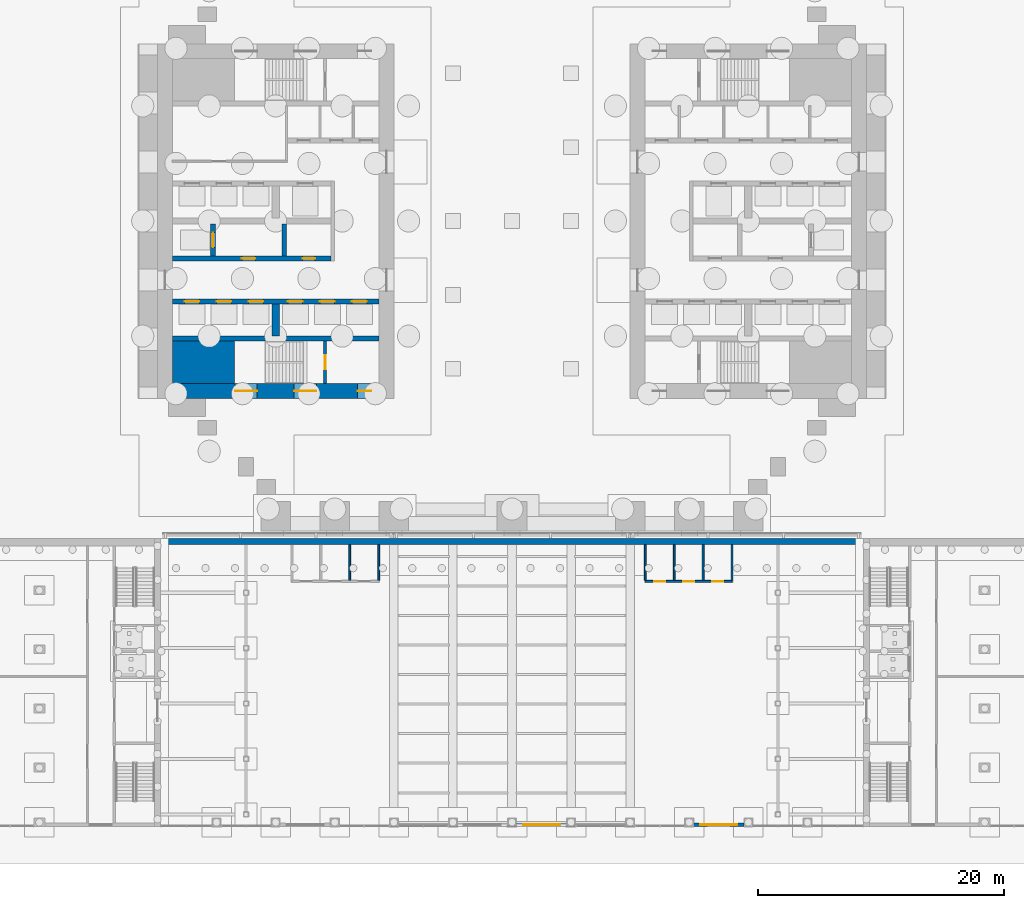
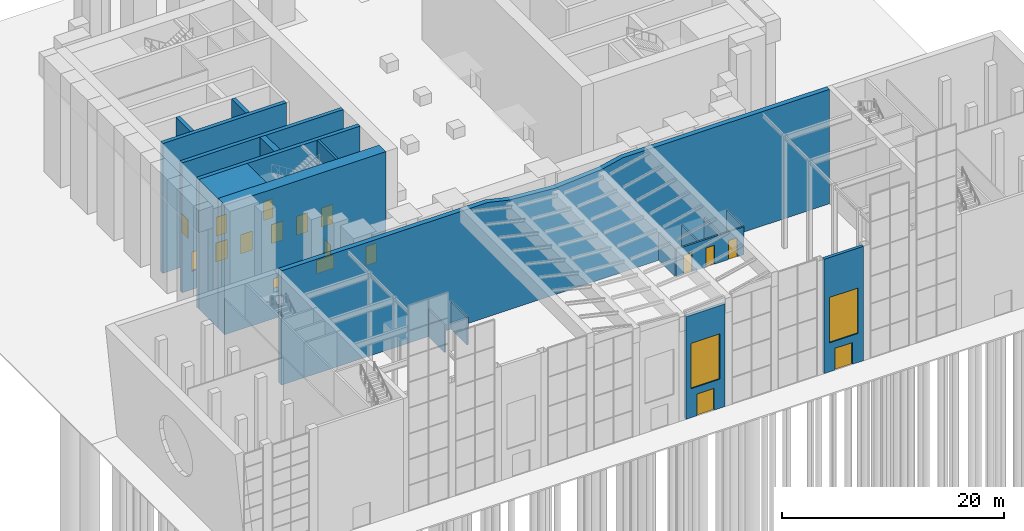
# One storey, part 45 of 58: 19 walls, 16 doors, 4 windows, 20 openings.
"""IFC4 building model written with IfcOpenShell, lengths in metres."""

from ifc_helpers import new_model, si_unit, direction, frame, frame_2d, origin, place, context, subcontext, project, spatial, polyline, rectangle, outline, extrude, material, layer, layer_set, type_object, element, fill, save


model = new_model("IFC4")

# Units and contexts
model_context = context("Model", 3, precision=1e-05, world=origin(), true_north=direction((0.0, 1.0)))
body_context = subcontext(model_context, "Body", "Model", "MODEL_VIEW")
ifc_project = project(units=[si_unit("LENGTHUNIT", "METRE"), si_unit("AREAUNIT", "SQUARE_METRE"), si_unit("VOLUMEUNIT", "CUBIC_METRE"), si_unit("PLANEANGLEUNIT", "RADIAN"), si_unit("MASSUNIT", "GRAM", prefix="KILO")], contexts=[model_context])

# Site, building, storey
site_placement = place(None, origin())
site = spatial("IfcSite", under=ifc_project, at=site_placement, CompositionType="ELEMENT")
building_placement = place(site_placement, origin())
building = spatial("IfcBuilding", under=site, at=building_placement, Name="Baori Bourse Tower", CompositionType="ELEMENT")
storey_placement = place(building_placement, origin())
storey = spatial("IfcBuildingStorey", under=building, at=storey_placement, Name="L00", CompositionType="ELEMENT", Elevation=0.0)

# Wall
ifc_material_1 = material(Name="Concrete f'c 70 MPa", Category="concrete")
wall_type_1 = type_object("IfcWallType", Name="Core corner block f'c 70", PredefinedType="SHEAR", material=ifc_material_1)
wall_1_placement = place(storey_placement, frame((1.199951171875, 12.52490234375, -2.0), z_axis=(0.0, 0.0, 1.0), x_axis=(1.0, 0.0, 0.0)))
element("IfcWall", 1, at=wall_1_placement, inside=storey, type_object=wall_type_1, Name="Core wall W04", PredefinedType="SHEAR", context=body_context, shape_type="SweptSolid", body=[
    extrude(rectangle(XDim=5.050048828125, YDim=3.449951171875, at=frame_2d((2.52490234375, 0.0))), origin(), (0.0, 0.0, 1.0), 14.300048828125),
])

# Wall, openings, door, windows
ifc_material_2 = material(Name="Concrete f'c 70 MPa", Category="concrete")
ifc_layer_1 = layer(ifc_material_2, 1.199951171875)
ifc_layer_set_1 = layer_set([ifc_layer_1], Name="Core wall 1200 f'c 70")
wall_type_2 = type_object("IfcWallType", Name="Core wall 1200 f'c 70", PredefinedType="SHEAR", material=ifc_layer_set_1)
wall_2_placement = place(storey_placement, frame((18.0, 10.199951171875, -2.0), z_axis=(0.0, 0.0, 1.0), x_axis=(-1.0, 0.0, 0.0)))
wall_2 = element("IfcWall", 2, at=wall_2_placement, inside=storey, type_object=wall_type_2, Name="Core wall W02", PredefinedType="SHEAR", context=body_context, shape_type="SweptSolid", body=[
    extrude(rectangle(XDim=16.800048828125, YDim=1.199951171875, at=frame_2d((8.39990234375, 0.0))), origin(), (0.0, 0.0, 1.0), 14.300048828125),
])
opening_1_placement = place(wall_2_placement, frame((0.64990234375, 0.0, 2.0)))
opening_1 = element("IfcOpeningElement", 3, at=opening_1_placement, cuts=wall_2, Name="Opening L00-D102", PredefinedType="OPENING", context=body_context, shape_type="SweptSolid", body=[
    extrude(rectangle(XDim=1.10009765625, YDim=2.10009765625, at=frame_2d((0.550048828125, 1.050048828125))), frame((0.0, 0.60986328125, 0.0), z_axis=(0.0, -1.0, 0.0), x_axis=(1.0, 0.0, 0.0)), (0.0, 0.0, 1.0), 1.219970703125),
])
opening_2_placement = place(wall_2_placement, frame((9.89990234375, 0.0, 2.89990234375)))
opening_2 = element("IfcOpeningElement", 4, at=opening_2_placement, cuts=wall_2, Name="Opening L00-KW102", PredefinedType="OPENING", context=body_context, shape_type="SweptSolid", body=[
    extrude(rectangle(XDim=1.800048828125, YDim=1.5, at=frame_2d((0.89990234375, 0.75))), frame((0.0, 0.60986328125, 0.0), z_axis=(0.0, -1.0, 0.0), x_axis=(1.0, 0.0, 0.0)), (0.0, 0.0, 1.0), 1.219970703125),
])
opening_3_placement = place(wall_2_placement, frame((5.10009765625, 0.0, 2.89990234375)))
opening_3 = element("IfcOpeningElement", 5, at=opening_3_placement, cuts=wall_2, Name="Opening L00-KW103", PredefinedType="OPENING", context=body_context, shape_type="SweptSolid", body=[
    extrude(rectangle(XDim=1.800048828125, YDim=1.5, at=frame_2d((0.89990234375, 0.75))), frame((0.0, 0.60986328125, 0.0), z_axis=(0.0, -1.0, 0.0), x_axis=(1.0, 0.0, 0.0)), (0.0, 0.0, 1.0), 1.219970703125),
])
ifc_material_3 = material(Name="Painted steel door", Category="steel")
door_type_1 = type_object("IfcDoorType", Name="Stair door 1100", OperationType="SINGLE_SWING_LEFT", PredefinedType="DOOR", material=ifc_material_3)
door_1_placement = place(opening_1_placement, origin())
door_1 = element("IfcDoor", 6, at=door_1_placement, inside=storey, type_object=door_type_1, Name="Stair vestibule door A W L00", OperationType="SINGLE_SWING_LEFT", OverallHeight=2.10009765625, OverallWidth=1.10009765625, PredefinedType="DOOR", context=body_context, shape_type="SweptSolid", body=[
    extrude(rectangle(XDim=1.10009765625, YDim=2.10009765625, at=frame_2d((0.550048828125, 1.050048828125))), frame((0.0, 0.02490234375, 0.0), z_axis=(0.0, -1.0, 0.0), x_axis=(1.0, 0.0, 0.0)), (0.0, 0.0, 1.0), 0.050048828125),
])
fill(opening_1, door_1)
ifc_material_4 = material(Name="Pale anodised aluminium", Category="aluminium")
window_type_1 = type_object("IfcWindowType", Name="Stair window 1800 x 1500", PartitioningType="SINGLE_PANEL", PredefinedType="WINDOW", material=ifc_material_4)
window_1_placement = place(opening_2_placement, origin())
window_1 = element("IfcWindow", 7, at=window_1_placement, inside=storey, type_object=window_type_1, Name="Stair window W L00 2", OverallHeight=1.5, OverallWidth=1.800048828125, PartitioningType="SINGLE_PANEL", PredefinedType="WINDOW", context=body_context, shape_type="SweptSolid", body=[
    extrude(rectangle(XDim=1.800048828125, YDim=1.5, at=frame_2d((0.89990234375, 0.75))), frame((0.0, 0.030029296875, 0.0), z_axis=(0.0, -1.0, 0.0), x_axis=(1.0, 0.0, 0.0)), (0.0, 0.0, 1.0), 0.06005859375),
])
fill(opening_2, window_1)
window_2_placement = place(opening_3_placement, origin())
window_2 = element("IfcWindow", 8, at=window_2_placement, inside=storey, type_object=window_type_1, Name="Stair window W L00 3", OverallHeight=1.5, OverallWidth=1.800048828125, PartitioningType="SINGLE_PANEL", PredefinedType="WINDOW", context=body_context, shape_type="SweptSolid", body=[
    extrude(rectangle(XDim=1.800048828125, YDim=1.5, at=frame_2d((0.89990234375, 0.75))), frame((0.0, 0.030029296875, 0.0), z_axis=(0.0, -1.0, 0.0), x_axis=(1.0, 0.0, 0.0)), (0.0, 0.0, 1.0), 0.06005859375),
])
fill(opening_3, window_2)

# Wall, openings, door, window
ifc_material_5 = material(Name="Concrete f'c 50 MPa", Category="concrete")
ifc_layer_2 = layer(ifc_material_5, 0.300048828125)
ifc_layer_set_2 = layer_set([ifc_layer_2], Name="Entrance wall 300")
wall_type_3 = type_object("IfcWallType", Name="Entrance wall 300", PredefinedType="SOLIDWALL", material=ifc_layer_set_2)
wall_3_placement = place(storey_placement, frame((33.25, -25.050048828125, 0.0), z_axis=(0.0, 0.0, 1.0), x_axis=(-1.0, 0.0, 0.0)))
wall_3 = element("IfcWall", 9, at=wall_3_placement, inside=storey, type_object=wall_type_3, Name="wing/L00/entwall/003", PredefinedType="SOLIDWALL", context=body_context, shape_type="SweptSolid", body=[
    extrude(rectangle(XDim=4.10009765625, YDim=0.300048828125, at=frame_2d((2.050048828125, 0.0))), origin(), (0.0, 0.0, 1.0), 11.300048828125),
])
opening_4_placement = place(wall_3_placement, frame((1.14990234375, 0.0, 0.0)))
opening_4 = element("IfcOpeningElement", 10, at=opening_4_placement, cuts=wall_3, Name="Opening WGH-L00-03", PredefinedType="OPENING", context=body_context, shape_type="SweptSolid", body=[
    extrude(rectangle(XDim=1.800048828125, YDim=2.39990234375, at=frame_2d((0.89990234375, 1.199951171875))), frame((0.0, 0.159912109375, 0.0), z_axis=(0.0, -1.0, 0.0), x_axis=(1.0, 0.0, 0.0)), (0.0, 0.0, 1.0), 0.320068359375),
])
opening_5_placement = place(wall_3_placement, frame((0.550048828125, 0.0, 3.199951171875)))
opening_5 = element("IfcOpeningElement", 11, at=opening_5_placement, cuts=wall_3, Name="Opening WGHW-6", PredefinedType="OPENING", context=body_context, shape_type="SweptSolid", body=[
    extrude(rectangle(XDim=3.0, YDim=5.0, at=frame_2d((1.5, 2.5))), frame((0.0, 0.159912109375, 0.0), z_axis=(0.0, -1.0, 0.0), x_axis=(1.0, 0.0, 0.0)), (0.0, 0.0, 1.0), 0.320068359375),
])
ifc_material_6 = material(Name="Aluminium and glass door", Category="aluminium")
door_type_2 = type_object("IfcDoorType", Name="Entrance door 1800x2400", OperationType="DOUBLE_DOOR_SINGLE_SWING", PredefinedType="DOOR", material=ifc_material_6)
door_2_placement = place(opening_4_placement, origin())
door_2 = element("IfcDoor", 12, at=door_2_placement, inside=storey, type_object=door_type_2, Name="WGH-L00-03", OperationType="DOUBLE_DOOR_SINGLE_SWING", OverallHeight=2.39990234375, OverallWidth=1.800048828125, PredefinedType="DOOR", context=body_context, shape_type="SweptSolid", body=[
    extrude(rectangle(XDim=1.800048828125, YDim=2.39990234375, at=frame_2d((0.89990234375, 1.199951171875))), frame((0.0, 0.02490234375, 0.0), z_axis=(0.0, -1.0, 0.0), x_axis=(1.0, 0.0, 0.0)), (0.0, 0.0, 1.0), 0.050048828125),
])
fill(opening_4, door_2)
ifc_material_7 = material(Name="Clear glass", Category="glass")
window_type_2 = type_object("IfcWindowType", Name="Entrance transom window 3000", PartitioningType="SINGLE_PANEL", PredefinedType="WINDOW", material=ifc_material_7)
window_3_placement = place(opening_5_placement, origin())
window_3 = element("IfcWindow", 13, at=window_3_placement, inside=storey, type_object=window_type_2, Name="WGHW-6", OverallHeight=5.0, OverallWidth=3.0, PartitioningType="SINGLE_PANEL", PredefinedType="WINDOW", context=body_context, shape_type="SweptSolid", body=[
    extrude(rectangle(XDim=3.0, YDim=5.0, at=frame_2d((1.5, 2.5))), frame((0.0, 0.030029296875, 0.0), z_axis=(0.0, -1.0, 0.0), x_axis=(1.0, 0.0, 0.0)), (0.0, 0.0, 1.0), 0.06005859375),
])
fill(opening_5, window_3)

wall_4_placement = place(storey_placement, frame((47.64990234375, -25.050048828125, 0.0), z_axis=(0.0, 0.0, 1.0), x_axis=(-1.0, 0.0, 0.0)))
wall_4 = element("IfcWall", 14, at=wall_4_placement, inside=storey, type_object=wall_type_3, Name="wing/L00/entwall/004", PredefinedType="SOLIDWALL", context=body_context, shape_type="SweptSolid", body=[
    extrude(rectangle(XDim=4.099853515625, YDim=0.300048828125, at=frame_2d((2.0498046875, 0.0))), origin(), (0.0, 0.0, 1.0), 12.60009765625),
])
opening_6_placement = place(wall_4_placement, frame((1.14990234375, 0.0, 0.0)))
opening_6 = element("IfcOpeningElement", 15, at=opening_6_placement, cuts=wall_4, Name="Opening WGH-L00-04", PredefinedType="OPENING", context=body_context, shape_type="SweptSolid", body=[
    extrude(rectangle(XDim=1.800048828125, YDim=2.39990234375, at=frame_2d((0.89990234375, 1.199951171875))), frame((0.0, 0.159912109375, 0.0), z_axis=(0.0, -1.0, 0.0), x_axis=(1.0, 0.0, 0.0)), (0.0, 0.0, 1.0), 0.320068359375),
])
opening_7_placement = place(wall_4_placement, frame((0.550048828125, 0.0, 3.199951171875)))
opening_7 = element("IfcOpeningElement", 16, at=opening_7_placement, cuts=wall_4, Name="Opening WGHW-9", PredefinedType="OPENING", context=body_context, shape_type="SweptSolid", body=[
    extrude(rectangle(XDim=3.0, YDim=5.0, at=frame_2d((1.5, 2.5))), frame((0.0, 0.159912109375, 0.0), z_axis=(0.0, -1.0, 0.0), x_axis=(1.0, 0.0, 0.0)), (0.0, 0.0, 1.0), 0.320068359375),
])
door_3_placement = place(opening_6_placement, origin())
door_3 = element("IfcDoor", 17, at=door_3_placement, inside=storey, type_object=door_type_2, Name="WGH-L00-04", OperationType="DOUBLE_DOOR_SINGLE_SWING", OverallHeight=2.39990234375, OverallWidth=1.800048828125, PredefinedType="DOOR", context=body_context, shape_type="SweptSolid", body=[
    extrude(rectangle(XDim=1.800048828125, YDim=2.39990234375, at=frame_2d((0.89990234375, 1.199951171875))), frame((0.0, 0.02490234375, 0.0), z_axis=(0.0, -1.0, 0.0), x_axis=(1.0, 0.0, 0.0)), (0.0, 0.0, 1.0), 0.050048828125),
])
fill(opening_6, door_3)
window_4_placement = place(opening_7_placement, origin())
window_4 = element("IfcWindow", 18, at=window_4_placement, inside=storey, type_object=window_type_2, Name="WGHW-9", OverallHeight=5.0, OverallWidth=3.0, PartitioningType="SINGLE_PANEL", PredefinedType="WINDOW", context=body_context, shape_type="SweptSolid", body=[
    extrude(rectangle(XDim=3.0, YDim=5.0, at=frame_2d((1.5, 2.5))), frame((0.0, 0.030029296875, 0.0), z_axis=(0.0, -1.0, 0.0), x_axis=(1.0, 0.0, 0.0)), (0.0, 0.0, 1.0), 0.06005859375),
])
fill(opening_7, window_4)

# Wall
ifc_material_8 = material(Name="Concrete f'c 50 MPa", Category="concrete")
ifc_layer_3 = layer(ifc_material_8, 0.5)
ifc_layer_set_3 = layer_set([ifc_layer_3], Name="Hall north wall 500")
wall_type_4 = type_object("IfcWallType", Name="Hall north wall 500", PredefinedType="SOLIDWALL", material=ifc_layer_set_3)
wall_5_placement = place(storey_placement, frame((0.25, -2.050048828125, 0.0), z_axis=(0.0, 0.0, 1.0), x_axis=(1.0, 0.0, 0.0)))
element("IfcWall", 19, at=wall_5_placement, inside=storey, type_object=wall_type_4, Name="wing/L00/hallnorth/001", PredefinedType="SOLIDWALL", context=body_context, shape_type="SweptSolid", body=[
    extrude(outline(polyline([(0.0, 0.0), (57.10009765625, 0.0), (57.10009765625, 12.60009765625), (52.550048828125, 12.60009765625), (47.75, 12.60009765625), (42.949951171875, 12.60009765625), (38.14990234375, 12.60009765625), (35.580078125, 12.60009765625), (33.35009765625, 12.083740234375), (28.550048828125, 11.719482421875), (23.75, 12.080078125), (21.52001953125, 12.60009765625), (18.949951171875, 12.60009765625), (14.14990234375, 12.60009765625), (9.35009765625, 12.60009765625), (4.550048828125, 12.60009765625), (0.0, 12.60009765625), (0.0, 0.0)])), frame((0.0, 0.25, 0.0), z_axis=(0.0, -1.0, 0.0), x_axis=(1.0, 0.0, 0.0)), (0.0, 0.0, 1.0), 0.5),
])

# Wall, opening, door
ifc_material_9 = material(Name="Concrete f'c 70 MPa", Category="concrete")
ifc_layer_4 = layer(ifc_material_9, 0.25)
ifc_layer_set_4 = layer_set([ifc_layer_4], Name="Shaft wall 250 f'c 70")
wall_type_5 = type_object("IfcWallType", Name="Shaft wall 250 f'c 70", PredefinedType="SHEAR", material=ifc_layer_set_4)
wall_6_placement = place(storey_placement, frame((13.625, 10.800048828125, -2.0), z_axis=(0.0, 0.0, 1.0), x_axis=(0.0, 1.0, 0.0)))
wall_6 = element("IfcWall", 20, at=wall_6_placement, inside=storey, type_object=wall_type_5, Name="Core wall W05", PredefinedType="SHEAR", context=body_context, shape_type="SweptSolid", body=[
    extrude(rectangle(XDim=3.449951171875, YDim=0.25, at=frame_2d((1.72509765625, 0.0))), origin(), (0.0, 0.0, 1.0), 14.300048828125),
])
opening_8_placement = place(wall_6_placement, frame((1.175048828125, 0.0, 2.0)))
opening_8 = element("IfcOpeningElement", 21, at=opening_8_placement, cuts=wall_6, Name="Opening L00-D101", PredefinedType="OPENING", context=body_context, shape_type="SweptSolid", body=[
    extrude(rectangle(XDim=1.10009765625, YDim=2.10009765625, at=frame_2d((0.550048828125, 1.050048828125))), frame((0.0, 0.135009765625, 0.0), z_axis=(0.0, -1.0, 0.0), x_axis=(1.0, 0.0, 0.0)), (0.0, 0.0, 1.0), 0.27001953125),
])
door_4_placement = place(opening_8_placement, origin())
door_4 = element("IfcDoor", 22, at=door_4_placement, inside=storey, type_object=door_type_1, Name="Stair door A W L00", OperationType="SINGLE_SWING_LEFT", OverallHeight=2.10009765625, OverallWidth=1.10009765625, PredefinedType="DOOR", context=body_context, shape_type="SweptSolid", body=[
    extrude(rectangle(XDim=1.10009765625, YDim=2.10009765625, at=frame_2d((0.550048828125, 1.050048828125))), frame((0.0, 0.02490234375, 0.0), z_axis=(0.0, -1.0, 0.0), x_axis=(1.0, 0.0, 0.0)), (0.0, 0.0, 1.0), 0.050048828125),
])
fill(opening_8, door_4)

# Wall
ifc_material_10 = material(Name="Concrete f'c 70 MPa", Category="concrete")
ifc_layer_5 = layer(ifc_material_10, 0.39990234375)
ifc_layer_set_5 = layer_set([ifc_layer_5], Name="Shaft wall 400 f'c 70")
wall_type_6 = type_object("IfcWallType", Name="Shaft wall 400 f'c 70", PredefinedType="SHEAR", material=ifc_layer_set_5)
wall_7_placement = place(storey_placement, frame((1.199951171875, 14.449951171875, -2.0), z_axis=(0.0, 0.0, 1.0), x_axis=(1.0, 0.0, 0.0)))
element("IfcWall", 23, at=wall_7_placement, inside=storey, type_object=wall_type_6, Name="Core wall W06", PredefinedType="SHEAR", context=body_context, shape_type="SweptSolid", body=[
    extrude(rectangle(XDim=16.800048828125, YDim=0.39990234375, at=frame_2d((8.39990234375, 0.0))), origin(), (0.0, 0.0, 1.0), 14.300048828125),
])

# Wall, openings, doors
wall_8_placement = place(storey_placement, frame((1.199951171875, 17.449951171875, -2.0), z_axis=(0.0, 0.0, 1.0), x_axis=(1.0, 0.0, 0.0)))
wall_8 = element("IfcWall", 24, at=wall_8_placement, inside=storey, type_object=wall_type_6, Name="Core wall W08", PredefinedType="SHEAR", context=body_context, shape_type="SweptSolid", body=[
    extrude(rectangle(XDim=16.800048828125, YDim=0.39990234375, at=frame_2d((8.39990234375, 0.0))), origin(), (0.0, 0.0, 1.0), 14.300048828125),
])
opening_9_placement = place(wall_8_placement, frame((1.0, 0.0, 2.0)))
opening_9 = element("IfcOpeningElement", 25, at=opening_9_placement, cuts=wall_8, Name="Opening L00-D113", PredefinedType="OPENING", context=body_context, shape_type="SweptSolid", body=[
    extrude(rectangle(XDim=1.199951171875, YDim=2.10009765625, at=frame_2d((0.60009765625, 1.050048828125))), frame((0.0, 0.2099609375, 0.0), z_axis=(0.0, -1.0, 0.0), x_axis=(1.0, 0.0, 0.0)), (0.0, 0.0, 1.0), 0.419921875),
])
opening_10_placement = place(wall_8_placement, frame((3.60009765625, 0.0, 2.0)))
opening_10 = element("IfcOpeningElement", 26, at=opening_10_placement, cuts=wall_8, Name="Opening L00-D114", PredefinedType="OPENING", context=body_context, shape_type="SweptSolid", body=[
    extrude(rectangle(XDim=1.199951171875, YDim=2.10009765625, at=frame_2d((0.60009765625, 1.050048828125))), frame((0.0, 0.2099609375, 0.0), z_axis=(0.0, -1.0, 0.0), x_axis=(1.0, 0.0, 0.0)), (0.0, 0.0, 1.0), 0.419921875),
])
opening_11_placement = place(wall_8_placement, frame((6.199951171875, 0.0, 2.0)))
opening_11 = element("IfcOpeningElement", 27, at=opening_11_placement, cuts=wall_8, Name="Opening L00-D115", PredefinedType="OPENING", context=body_context, shape_type="SweptSolid", body=[
    extrude(rectangle(XDim=1.199951171875, YDim=2.10009765625, at=frame_2d((0.60009765625, 1.050048828125))), frame((0.0, 0.2099609375, 0.0), z_axis=(0.0, -1.0, 0.0), x_axis=(1.0, 0.0, 0.0)), (0.0, 0.0, 1.0), 0.419921875),
])
opening_12_placement = place(wall_8_placement, frame((9.39990234375, 0.0, 2.0)))
opening_12 = element("IfcOpeningElement", 28, at=opening_12_placement, cuts=wall_8, Name="Opening L00-D116", PredefinedType="OPENING", context=body_context, shape_type="SweptSolid", body=[
    extrude(rectangle(XDim=1.199951171875, YDim=2.10009765625, at=frame_2d((0.60009765625, 1.050048828125))), frame((0.0, 0.2099609375, 0.0), z_axis=(0.0, -1.0, 0.0), x_axis=(1.0, 0.0, 0.0)), (0.0, 0.0, 1.0), 0.419921875),
])
opening_13_placement = place(wall_8_placement, frame((12.0, 0.0, 2.0)))
opening_13 = element("IfcOpeningElement", 29, at=opening_13_placement, cuts=wall_8, Name="Opening L00-D117", PredefinedType="OPENING", context=body_context, shape_type="SweptSolid", body=[
    extrude(rectangle(XDim=1.199951171875, YDim=2.10009765625, at=frame_2d((0.60009765625, 1.050048828125))), frame((0.0, 0.2099609375, 0.0), z_axis=(0.0, -1.0, 0.0), x_axis=(1.0, 0.0, 0.0)), (0.0, 0.0, 1.0), 0.419921875),
])
opening_14_placement = place(wall_8_placement, frame((14.60009765625, 0.0, 2.0)))
opening_14 = element("IfcOpeningElement", 30, at=opening_14_placement, cuts=wall_8, Name="Opening L00-D118", PredefinedType="OPENING", context=body_context, shape_type="SweptSolid", body=[
    extrude(rectangle(XDim=1.199951171875, YDim=2.10009765625, at=frame_2d((0.60009765625, 1.050048828125))), frame((0.0, 0.2099609375, 0.0), z_axis=(0.0, -1.0, 0.0), x_axis=(1.0, 0.0, 0.0)), (0.0, 0.0, 1.0), 0.419921875),
])
ifc_material_11 = material(Name="Stainless steel door", Category="steel")
door_type_3 = type_object("IfcDoorType", Name="Lift landing door", OperationType="DOUBLE_DOOR_SLIDING", PredefinedType="DOOR", material=ifc_material_11)
door_5_placement = place(opening_9_placement, origin())
door_5 = element("IfcDoor", 31, at=door_5_placement, inside=storey, type_object=door_type_3, Name="Lift landing door LR1 W L00", OperationType="DOUBLE_DOOR_SLIDING", OverallHeight=2.10009765625, OverallWidth=1.199951171875, PredefinedType="DOOR", context=body_context, shape_type="SweptSolid", body=[
    extrude(rectangle(XDim=1.199951171875, YDim=2.10009765625, at=frame_2d((0.60009765625, 1.050048828125))), frame((0.0, 0.02490234375, 0.0), z_axis=(0.0, -1.0, 0.0), x_axis=(1.0, 0.0, 0.0)), (0.0, 0.0, 1.0), 0.050048828125),
])
fill(opening_9, door_5)
door_6_placement = place(opening_10_placement, origin())
door_6 = element("IfcDoor", 32, at=door_6_placement, inside=storey, type_object=door_type_3, Name="Lift landing door LR2 W L00", OperationType="DOUBLE_DOOR_SLIDING", OverallHeight=2.10009765625, OverallWidth=1.199951171875, PredefinedType="DOOR", context=body_context, shape_type="SweptSolid", body=[
    extrude(rectangle(XDim=1.199951171875, YDim=2.10009765625, at=frame_2d((0.60009765625, 1.050048828125))), frame((0.0, 0.02490234375, 0.0), z_axis=(0.0, -1.0, 0.0), x_axis=(1.0, 0.0, 0.0)), (0.0, 0.0, 1.0), 0.050048828125),
])
fill(opening_10, door_6)
door_7_placement = place(opening_11_placement, origin())
door_7 = element("IfcDoor", 33, at=door_7_placement, inside=storey, type_object=door_type_3, Name="Lift landing door LR3 W L00", OperationType="DOUBLE_DOOR_SLIDING", OverallHeight=2.10009765625, OverallWidth=1.199951171875, PredefinedType="DOOR", context=body_context, shape_type="SweptSolid", body=[
    extrude(rectangle(XDim=1.199951171875, YDim=2.10009765625, at=frame_2d((0.60009765625, 1.050048828125))), frame((0.0, 0.02490234375, 0.0), z_axis=(0.0, -1.0, 0.0), x_axis=(1.0, 0.0, 0.0)), (0.0, 0.0, 1.0), 0.050048828125),
])
fill(opening_11, door_7)
door_8_placement = place(opening_12_placement, origin())
door_8 = element("IfcDoor", 34, at=door_8_placement, inside=storey, type_object=door_type_3, Name="Lift landing door LR4 W L00", OperationType="DOUBLE_DOOR_SLIDING", OverallHeight=2.10009765625, OverallWidth=1.199951171875, PredefinedType="DOOR", context=body_context, shape_type="SweptSolid", body=[
    extrude(rectangle(XDim=1.199951171875, YDim=2.10009765625, at=frame_2d((0.60009765625, 1.050048828125))), frame((0.0, 0.02490234375, 0.0), z_axis=(0.0, -1.0, 0.0), x_axis=(1.0, 0.0, 0.0)), (0.0, 0.0, 1.0), 0.050048828125),
])
fill(opening_12, door_8)
door_9_placement = place(opening_13_placement, origin())
door_9 = element("IfcDoor", 35, at=door_9_placement, inside=storey, type_object=door_type_3, Name="Lift landing door LR5 W L00", OperationType="DOUBLE_DOOR_SLIDING", OverallHeight=2.10009765625, OverallWidth=1.199951171875, PredefinedType="DOOR", context=body_context, shape_type="SweptSolid", body=[
    extrude(rectangle(XDim=1.199951171875, YDim=2.10009765625, at=frame_2d((0.60009765625, 1.050048828125))), frame((0.0, 0.02490234375, 0.0), z_axis=(0.0, -1.0, 0.0), x_axis=(1.0, 0.0, 0.0)), (0.0, 0.0, 1.0), 0.050048828125),
])
fill(opening_13, door_9)
door_10_placement = place(opening_14_placement, origin())
door_10 = element("IfcDoor", 36, at=door_10_placement, inside=storey, type_object=door_type_3, Name="Lift landing door LR6 W L00", OperationType="DOUBLE_DOOR_SLIDING", OverallHeight=2.10009765625, OverallWidth=1.199951171875, PredefinedType="DOOR", context=body_context, shape_type="SweptSolid", body=[
    extrude(rectangle(XDim=1.199951171875, YDim=2.10009765625, at=frame_2d((0.60009765625, 1.050048828125))), frame((0.0, 0.02490234375, 0.0), z_axis=(0.0, -1.0, 0.0), x_axis=(1.0, 0.0, 0.0)), (0.0, 0.0, 1.0), 0.050048828125),
])
fill(opening_14, door_10)

wall_9_placement = place(storey_placement, frame((1.199951171875, 20.949951171875, -2.0), z_axis=(0.0, 0.0, 1.0), x_axis=(1.0, 0.0, 0.0)))
wall_9 = element("IfcWall", 37, at=wall_9_placement, inside=storey, type_object=wall_type_6, Name="Core wall W09", PredefinedType="SHEAR", context=body_context, shape_type="SweptSolid", body=[
    extrude(rectangle(XDim=12.900146484375, YDim=0.39990234375, at=frame_2d((6.4501953125, 0.0))), origin(), (0.0, 0.0, 1.0), 14.300048828125),
])
opening_15_placement = place(wall_9_placement, frame((5.64990234375, 0.0, 2.0)))
opening_15 = element("IfcOpeningElement", 38, at=opening_15_placement, cuts=wall_9, Name="Opening L00-D105", PredefinedType="OPENING", context=body_context, shape_type="SweptSolid", body=[
    extrude(rectangle(XDim=1.10009765625, YDim=2.10009765625, at=frame_2d((0.550048828125, 1.050048828125))), frame((0.0, 0.2099609375, 0.0), z_axis=(0.0, -1.0, 0.0), x_axis=(1.0, 0.0, 0.0)), (0.0, 0.0, 1.0), 0.419921875),
])
opening_16_placement = place(wall_9_placement, frame((10.60009765625, 0.0, 2.0)))
opening_16 = element("IfcOpeningElement", 39, at=opening_16_placement, cuts=wall_9, Name="Opening L00-D106", PredefinedType="OPENING", context=body_context, shape_type="SweptSolid", body=[
    extrude(rectangle(XDim=1.0, YDim=2.10009765625, at=frame_2d((0.5, 1.050048828125))), frame((0.0, 0.2099609375, 0.0), z_axis=(0.0, -1.0, 0.0), x_axis=(1.0, 0.0, 0.0)), (0.0, 0.0, 1.0), 0.419921875),
])
ifc_material_12 = material(Name="Painted steel door", Category="steel")
door_type_4 = type_object("IfcDoorType", Name="Core door 1000", OperationType="SINGLE_SWING_LEFT", PredefinedType="DOOR", material=ifc_material_12)
door_11_placement = place(opening_16_placement, origin())
door_11 = element("IfcDoor", 40, at=door_11_placement, inside=storey, type_object=door_type_4, Name="Security room door W L00", OperationType="SINGLE_SWING_LEFT", OverallHeight=2.10009765625, OverallWidth=1.0, PredefinedType="DOOR", context=body_context, shape_type="SweptSolid", body=[
    extrude(rectangle(XDim=1.0, YDim=2.10009765625, at=frame_2d((0.5, 1.050048828125))), frame((0.0, 0.02490234375, 0.0), z_axis=(0.0, -1.0, 0.0), x_axis=(1.0, 0.0, 0.0)), (0.0, 0.0, 1.0), 0.050048828125),
])
fill(opening_16, door_11)
ifc_material_13 = material(Name="Painted steel door", Category="steel")
door_type_5 = type_object("IfcDoorType", Name="Lobby door 1100", OperationType="SINGLE_SWING_LEFT", PredefinedType="DOOR", material=ifc_material_13)
door_12_placement = place(opening_15_placement, origin())
door_12 = element("IfcDoor", 41, at=door_12_placement, inside=storey, type_object=door_type_5, Name="Firefighting lobby door W L00", OperationType="SINGLE_SWING_LEFT", OverallHeight=2.10009765625, OverallWidth=1.10009765625, PredefinedType="DOOR", context=body_context, shape_type="SweptSolid", body=[
    extrude(rectangle(XDim=1.10009765625, YDim=2.10009765625, at=frame_2d((0.550048828125, 1.050048828125))), frame((0.0, 0.02490234375, 0.0), z_axis=(0.0, -1.0, 0.0), x_axis=(1.0, 0.0, 0.0)), (0.0, 0.0, 1.0), 0.050048828125),
])
fill(opening_15, door_12)

# Wall, opening, door
wall_10_placement = place(storey_placement, frame((4.5, 21.14990234375, -2.0), z_axis=(0.0, 0.0, 1.0), x_axis=(0.0, 1.0, 0.0)))
wall_10 = element("IfcWall", 42, at=wall_10_placement, inside=storey, type_object=wall_type_6, Name="Core wall W11", PredefinedType="SHEAR", context=body_context, shape_type="SweptSolid", body=[
    extrude(rectangle(XDim=2.60009765625, YDim=0.39990234375, at=frame_2d((1.300048828125, 0.0))), origin(), (0.0, 0.0, 1.0), 14.300048828125),
])
opening_17_placement = place(wall_10_placement, frame((0.699951171875, 0.0, 2.0)))
opening_17 = element("IfcOpeningElement", 43, at=opening_17_placement, cuts=wall_10, Name="Opening L00-D123", PredefinedType="OPENING", context=body_context, shape_type="SweptSolid", body=[
    extrude(rectangle(XDim=1.199951171875, YDim=2.10009765625, at=frame_2d((0.60009765625, 1.050048828125))), frame((0.0, 0.2099609375, 0.0), z_axis=(0.0, -1.0, 0.0), x_axis=(1.0, 0.0, 0.0)), (0.0, 0.0, 1.0), 0.419921875),
])
door_13_placement = place(opening_17_placement, origin())
door_13 = element("IfcDoor", 44, at=door_13_placement, inside=storey, type_object=door_type_3, Name="Lift landing door FF1 W L00", OperationType="DOUBLE_DOOR_SLIDING", OverallHeight=2.10009765625, OverallWidth=1.199951171875, PredefinedType="DOOR", context=body_context, shape_type="SweptSolid", body=[
    extrude(rectangle(XDim=1.199951171875, YDim=2.10009765625, at=frame_2d((0.60009765625, 1.050048828125))), frame((0.0, 0.02490234375, 0.0), z_axis=(0.0, -1.0, 0.0), x_axis=(1.0, 0.0, 0.0)), (0.0, 0.0, 1.0), 0.050048828125),
])
fill(opening_17, door_13)

# Walls
wall_11_placement = place(storey_placement, frame((10.300048828125, 21.14990234375, -2.0), z_axis=(0.0, 0.0, 1.0), x_axis=(0.0, 1.0, 0.0)))
element("IfcWall", 45, at=wall_11_placement, inside=storey, type_object=wall_type_6, Name="Core wall W12", PredefinedType="SHEAR", context=body_context, shape_type="SweptSolid", body=[
    extrude(rectangle(XDim=2.60009765625, YDim=0.39990234375, at=frame_2d((1.300048828125, 0.0))), origin(), (0.0, 0.0, 1.0), 14.300048828125),
])
ifc_material_14 = material(Name="Concrete f'c 70 MPa", Category="concrete")
ifc_layer_6 = layer(ifc_material_14, 0.60009765625)
ifc_layer_set_6 = layer_set([ifc_layer_6], Name="Shaft wall 600 f'c 70")
wall_type_7 = type_object("IfcWallType", Name="Shaft wall 600 f'c 70", PredefinedType="SHEAR", material=ifc_layer_set_6)
wall_12_placement = place(storey_placement, frame((9.60009765625, 14.64990234375, -2.0), z_axis=(0.0, 0.0, 1.0), x_axis=(0.0, 1.0, 0.0)))
element("IfcWall", 46, at=wall_12_placement, inside=storey, type_object=wall_type_7, Name="Core wall W07", PredefinedType="SHEAR", context=body_context, shape_type="SweptSolid", body=[
    extrude(rectangle(XDim=2.60009765625, YDim=0.60009765625, at=frame_2d((1.300048828125, 0.0))), origin(), (0.0, 0.0, 1.0), 14.300048828125),
])
ifc_material_15 = material(Name="Reinforced masonry f'm 20 MPa", Category="masonry")
ifc_layer_7 = layer(ifc_material_15, 0.14990234375)
ifc_layer_set_7 = layer_set([ifc_layer_7], Name="Toilet pod wall 150")
wall_type_8 = type_object("IfcWallType", Name="Toilet pod wall 150", PredefinedType="SOLIDWALL", material=ifc_layer_set_7)
for number, where, z_axis, x_axis, name in (
    (47, (15.625, -5.199951171875, 0.0), (0.0, 0.0, 1.0), (0.0, 1.0, 0.0), "wing/L00/podwall/004"),
    (48, (17.97509765625, -5.199951171875, 0.0), (0.0, 0.0, 1.0), (0.0, 1.0, 0.0), "wing/L00/podwall/005"),
):
    element("IfcWall", number, at=place(storey_placement, frame(where, z_axis=z_axis, x_axis=x_axis)), inside=storey, type_object=wall_type_8, Name=name, PredefinedType="SOLIDWALL", context=body_context, shape_type="SweptSolid", body=[
        extrude(rectangle(XDim=2.89990234375, YDim=0.14990234375, at=frame_2d((1.449951171875, 0.0))), origin(), (0.0, 0.0, 1.0), 3.050048828125),
    ])

# Wall, openings, doors
wall_13_placement = place(storey_placement, frame((39.625, -5.27490234375, 0.0), z_axis=(0.0, 0.0, 1.0), x_axis=(1.0, 0.0, 0.0)))
wall_13 = element("IfcWall", 49, at=wall_13_placement, inside=storey, type_object=wall_type_8, Name="wing/L00/podwall/006", PredefinedType="SOLIDWALL", context=body_context, shape_type="SweptSolid", body=[
    extrude(rectangle(XDim=7.050048828125, YDim=0.14990234375, at=frame_2d((3.52490234375, 0.0))), origin(), (0.0, 0.0, 1.0), 3.050048828125),
])
opening_18_placement = place(wall_13_placement, frame((5.425048828125, 0.0, 0.0)))
opening_18 = element("IfcOpeningElement", 50, at=opening_18_placement, cuts=wall_13, Name="Opening WGH-L00-T04", PredefinedType="OPENING", context=body_context, shape_type="SweptSolid", body=[
    extrude(rectangle(XDim=0.89990234375, YDim=2.10009765625, at=frame_2d((0.449951171875, 1.050048828125))), frame((0.0, 0.0849609375, 0.0), z_axis=(0.0, -1.0, 0.0), x_axis=(1.0, 0.0, 0.0)), (0.0, 0.0, 1.0), 0.169921875),
])
opening_19_placement = place(wall_13_placement, frame((3.074951171875, 0.0, 0.0)))
opening_19 = element("IfcOpeningElement", 51, at=opening_19_placement, cuts=wall_13, Name="Opening WGH-L00-T05", PredefinedType="OPENING", context=body_context, shape_type="SweptSolid", body=[
    extrude(rectangle(XDim=0.89990234375, YDim=2.10009765625, at=frame_2d((0.449951171875, 1.050048828125))), frame((0.0, 0.0849609375, 0.0), z_axis=(0.0, -1.0, 0.0), x_axis=(1.0, 0.0, 0.0)), (0.0, 0.0, 1.0), 0.169921875),
])
opening_20_placement = place(wall_13_placement, frame((0.72509765625, 0.0, 0.0)))
opening_20 = element("IfcOpeningElement", 52, at=opening_20_placement, cuts=wall_13, Name="Opening WGH-L00-T06", PredefinedType="OPENING", context=body_context, shape_type="SweptSolid", body=[
    extrude(rectangle(XDim=0.89990234375, YDim=2.10009765625, at=frame_2d((0.449951171875, 1.050048828125))), frame((0.0, 0.0849609375, 0.0), z_axis=(0.0, -1.0, 0.0), x_axis=(1.0, 0.0, 0.0)), (0.0, 0.0, 1.0), 0.169921875),
])
ifc_material_16 = material(Name="Timber door", Category="wood")
door_type_6 = type_object("IfcDoorType", Name="Wing toilet door 900x2100", OperationType="SINGLE_SWING_LEFT", PredefinedType="DOOR", material=ifc_material_16)
door_14_placement = place(opening_18_placement, origin())
door_14 = element("IfcDoor", 53, at=door_14_placement, inside=storey, type_object=door_type_6, Name="WGH-L00-T04", OperationType="SINGLE_SWING_LEFT", OverallHeight=2.10009765625, OverallWidth=0.89990234375, PredefinedType="DOOR", context=body_context, shape_type="SweptSolid", body=[
    extrude(rectangle(XDim=0.89990234375, YDim=2.10009765625, at=frame_2d((0.449951171875, 1.050048828125))), frame((0.0, 0.02490234375, 0.0), z_axis=(0.0, -1.0, 0.0), x_axis=(1.0, 0.0, 0.0)), (0.0, 0.0, 1.0), 0.050048828125),
])
fill(opening_18, door_14)
door_15_placement = place(opening_19_placement, origin())
door_15 = element("IfcDoor", 54, at=door_15_placement, inside=storey, type_object=door_type_6, Name="WGH-L00-T05", OperationType="SINGLE_SWING_LEFT", OverallHeight=2.10009765625, OverallWidth=0.89990234375, PredefinedType="DOOR", context=body_context, shape_type="SweptSolid", body=[
    extrude(rectangle(XDim=0.89990234375, YDim=2.10009765625, at=frame_2d((0.449951171875, 1.050048828125))), frame((0.0, 0.02490234375, 0.0), z_axis=(0.0, -1.0, 0.0), x_axis=(1.0, 0.0, 0.0)), (0.0, 0.0, 1.0), 0.050048828125),
])
fill(opening_19, door_15)
door_16_placement = place(opening_20_placement, origin())
door_16 = element("IfcDoor", 55, at=door_16_placement, inside=storey, type_object=door_type_6, Name="WGH-L00-T06", OperationType="SINGLE_SWING_LEFT", OverallHeight=2.10009765625, OverallWidth=0.89990234375, PredefinedType="DOOR", context=body_context, shape_type="SweptSolid", body=[
    extrude(rectangle(XDim=0.89990234375, YDim=2.10009765625, at=frame_2d((0.449951171875, 1.050048828125))), frame((0.0, 0.02490234375, 0.0), z_axis=(0.0, -1.0, 0.0), x_axis=(1.0, 0.0, 0.0)), (0.0, 0.0, 1.0), 0.050048828125),
])
fill(opening_20, door_16)

# Walls
for number, where, z_axis, x_axis, name in (
    (56, (46.675048828125, -5.199951171875, 0.0), (0.0, 0.0, 1.0), (0.0, 1.0, 0.0), "wing/L00/podwall/007"),
    (57, (44.324951171875, -5.199951171875, 0.0), (0.0, 0.0, 1.0), (0.0, 1.0, 0.0), "wing/L00/podwall/008"),
    (58, (41.97509765625, -5.199951171875, 0.0), (0.0, 0.0, 1.0), (0.0, 1.0, 0.0), "wing/L00/podwall/009"),
    (59, (39.625, -5.199951171875, 0.0), (0.0, 0.0, 1.0), (0.0, 1.0, 0.0), "wing/L00/podwall/010"),
):
    element("IfcWall", number, at=place(storey_placement, frame(where, z_axis=z_axis, x_axis=x_axis)), inside=storey, type_object=wall_type_8, Name=name, PredefinedType="SOLIDWALL", context=body_context, shape_type="SweptSolid", body=[
        extrude(rectangle(XDim=2.89990234375, YDim=0.14990234375, at=frame_2d((1.449951171875, 0.0))), origin(), (0.0, 0.0, 1.0), 3.050048828125),
    ])

save(model, "model.ifc")
